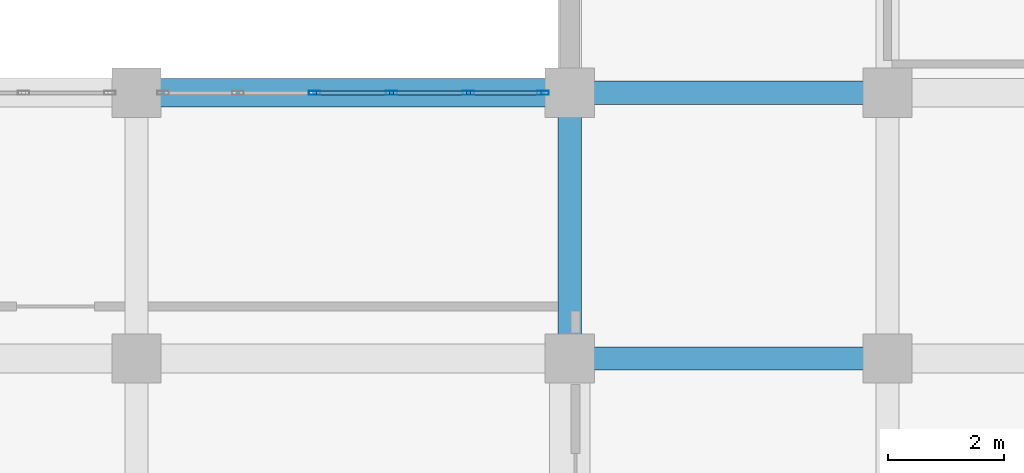
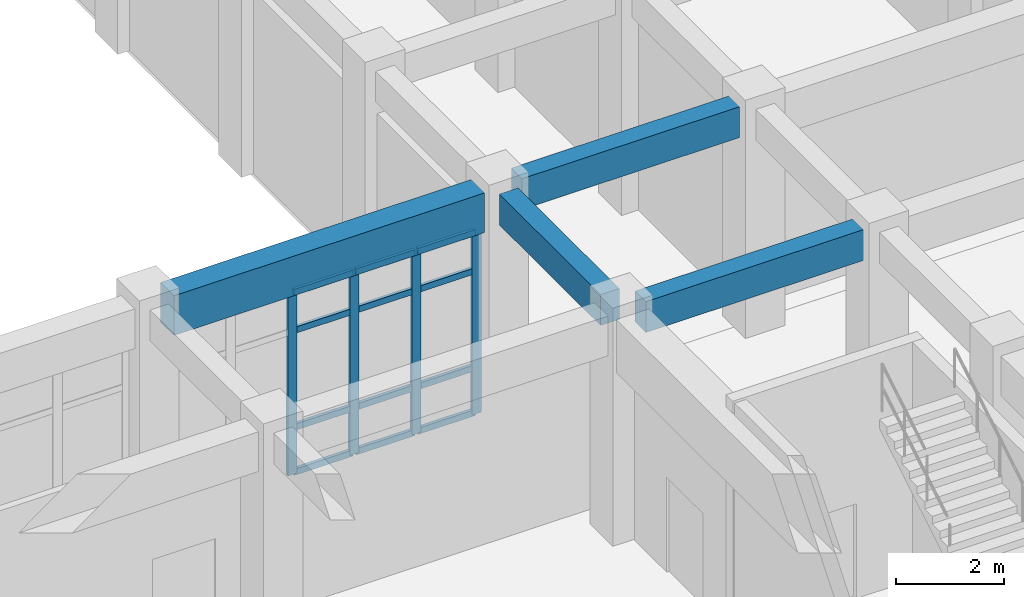
# One storey, part 35 of 84: 16 members, 4 beams, 1 element without a shape of its own.
"""IFC4 building model written with IfcOpenShell, lengths in metres."""

from ifc_helpers import new_model, si_unit, direction, frame, origin, origin_2d, place, context, subcontext, project, spatial, rectangle, hollow_rectangle, extrude, material, layer, layer_set, material_profile, profile_set, type_object, element, aggregate, save


model = new_model("IFC4")

# Units and contexts
model_context = context("Model", 3, precision=1e-05, world=origin(), true_north=direction((0.0, 1.0)))
body_context = subcontext(model_context, "Body", "Model", "MODEL_VIEW")
ifc_project = project(units=[si_unit("LENGTHUNIT", "METRE"), si_unit("AREAUNIT", "SQUARE_METRE"), si_unit("VOLUMEUNIT", "CUBIC_METRE"), si_unit("PLANEANGLEUNIT", "RADIAN"), si_unit("MASSUNIT", "GRAM", prefix="KILO")], contexts=[model_context])

# Site, building, storey
site_placement = place(None, origin())
site = spatial("IfcSite", under=ifc_project, at=site_placement, CompositionType="ELEMENT")
building_placement = place(site_placement, origin())
building = spatial("IfcBuilding", under=site, at=building_placement, Name="Muzn Square Opera House", CompositionType="ELEMENT")
storey_placement = place(building_placement, origin())
storey = spatial("IfcBuildingStorey", under=building, at=storey_placement, Name="L00", CompositionType="ELEMENT", Elevation=0.0)

# Curtain wall, members
ifc_material_1 = material(Name="Low-E laminated acoustic double glazing", Category="glass")
ifc_layer = layer(ifc_material_1, 0.159912109375, Name="Low-E laminated acoustic double glazing", Category="glass")
ifc_layer_set = layer_set([ifc_layer], Name="Low-E laminated acoustic double glazing")
curtain_wall_type = type_object("IfcCurtainWallType", Name="Glazed Curtain Wall EastCloisterS 6650x4150", PredefinedType="USERDEFINED", material=ifc_layer_set)
curtain_wall_placement = place(storey_placement, origin())
curtain_wall = element("IfcCurtainWall", 1, at=curtain_wall_placement, inside=storey, type_object=curtain_wall_type, Name="Glazed Curtain Wall CW-L00-079", ObjectType="GLAZED CURTAIN WALL", PredefinedType="USERDEFINED")
ifc_material_2 = material(Name="Anodised bronze aluminium 6063-T6", Category="metal")
ifc_material_profile_1 = material_profile(ifc_material_2, hollow_rectangle(XDim=0.070068359375, YDim=0.199951171875, WallThickness=0.0048828125, at=origin_2d()), Name="ALU 200x70x5", Category="metal")
ifc_profile_set_1 = profile_set([ifc_material_profile_1], Name="Anodised bronze aluminium 6063-T6")
member_type_1 = type_object("IfcMemberType", Name="Curtain Wall Mullion 200x70", PredefinedType="MULLION", material=ifc_profile_set_1)
member_1_placement = place(storey_placement, frame((152.5849609375, 31.199951171875, 0.0), z_axis=(0.0, 0.0, 1.0), x_axis=(0.0, 1.0, 0.0)))
member_1 = element("IfcMember", 2, at=member_1_placement, type_object=member_type_1, Name="CW-ECS-66x41 mullion 3", PredefinedType="MULLION", context=body_context, shape_type="SweptSolid", body=[
    extrude(hollow_rectangle(XDim=0.070068359375, YDim=0.199951171875, WallThickness=0.0048828125, at=origin_2d()), origin(), (0.0, 0.0, 1.0), 4.14990234375),
])
member_2_placement = place(storey_placement, frame((153.9150390625, 31.199951171875, 0.0), z_axis=(0.0, 0.0, 1.0), x_axis=(0.0, 1.0, 0.0)))
member_2 = element("IfcMember", 3, at=member_2_placement, type_object=member_type_1, Name="CW-ECS-66x41 mullion 4", PredefinedType="MULLION", context=body_context, shape_type="SweptSolid", body=[
    extrude(hollow_rectangle(XDim=0.070068359375, YDim=0.199951171875, WallThickness=0.0048828125, at=origin_2d()), origin(), (0.0, 0.0, 1.0), 4.14990234375),
])
member_3_placement = place(storey_placement, frame((155.2451171875, 31.199951171875, 0.0), z_axis=(0.0, 0.0, 1.0), x_axis=(0.0, 1.0, 0.0)))
member_3 = element("IfcMember", 4, at=member_3_placement, type_object=member_type_1, Name="CW-ECS-66x41 mullion 5", PredefinedType="MULLION", context=body_context, shape_type="SweptSolid", body=[
    extrude(hollow_rectangle(XDim=0.070068359375, YDim=0.199951171875, WallThickness=0.0048828125, at=origin_2d()), origin(), (0.0, 0.0, 1.0), 4.14990234375),
])
member_4_placement = place(storey_placement, frame((156.5400390625, 31.199951171875, 0.0), z_axis=(0.0, 0.0, 1.0), x_axis=(0.0, 1.0, 0.0)))
member_4 = element("IfcMember", 5, at=member_4_placement, type_object=member_type_1, Name="CW-ECS-66x41 mullion 6", PredefinedType="MULLION", context=body_context, shape_type="SweptSolid", body=[
    extrude(hollow_rectangle(XDim=0.070068359375, YDim=0.199951171875, WallThickness=0.0048828125, at=origin_2d()), origin(), (0.0, 0.0, 1.0), 4.14990234375),
])
ifc_material_profile_2 = material_profile(ifc_material_2, hollow_rectangle(XDim=0.070068359375, YDim=0.139892578125, WallThickness=0.00390625, at=origin_2d()), Name="ALU 140x70x4", Category="metal")
ifc_profile_set_2 = profile_set([ifc_material_profile_2], Name="Anodised bronze aluminium 6063-T6")
member_type_2 = type_object("IfcMemberType", Name="Curtain Wall Transom 140x70", PredefinedType="USERDEFINED", material=ifc_profile_set_2)
member_5_placement = place(storey_placement, frame((152.6201171875, 31.199951171875, 0.034912109375), z_axis=(1.0, 0.0, 0.0), x_axis=(0.0, 1.0, 0.0)))
member_5 = element("IfcMember", 6, at=member_5_placement, type_object=member_type_2, Name="CW-ECS-66x41 transom 3.1", ObjectType="TRANSOM", PredefinedType="USERDEFINED", context=body_context, shape_type="SweptSolid", body=[
    extrude(hollow_rectangle(XDim=0.070068359375, YDim=0.139892578125, WallThickness=0.00390625, at=origin_2d()), origin(), (0.0, 0.0, 1.0), 1.259765625),
])
member_6_placement = place(storey_placement, frame((152.6201171875, 31.199951171875, 1.050048828125), z_axis=(1.0, 0.0, 0.0), x_axis=(0.0, 1.0, 0.0)))
member_6 = element("IfcMember", 7, at=member_6_placement, type_object=member_type_2, Name="CW-ECS-66x41 transom 3.2", ObjectType="TRANSOM", PredefinedType="USERDEFINED", context=body_context, shape_type="SweptSolid", body=[
    extrude(hollow_rectangle(XDim=0.070068359375, YDim=0.139892578125, WallThickness=0.00390625, at=origin_2d()), origin(), (0.0, 0.0, 1.0), 1.259765625),
])
member_7_placement = place(storey_placement, frame((152.6201171875, 31.199951171875, 3.25), z_axis=(1.0, 0.0, 0.0), x_axis=(0.0, 1.0, 0.0)))
member_7 = element("IfcMember", 8, at=member_7_placement, type_object=member_type_2, Name="CW-ECS-66x41 transom 3.3", ObjectType="TRANSOM", PredefinedType="USERDEFINED", context=body_context, shape_type="SweptSolid", body=[
    extrude(hollow_rectangle(XDim=0.070068359375, YDim=0.139892578125, WallThickness=0.00390625, at=origin_2d()), origin(), (0.0, 0.0, 1.0), 1.259765625),
])
member_8_placement = place(storey_placement, frame((152.6201171875, 31.199951171875, 4.114990234375), z_axis=(1.0, 0.0, 0.0), x_axis=(0.0, 1.0, 0.0)))
member_8 = element("IfcMember", 9, at=member_8_placement, type_object=member_type_2, Name="CW-ECS-66x41 transom 3.4", ObjectType="TRANSOM", PredefinedType="USERDEFINED", context=body_context, shape_type="SweptSolid", body=[
    extrude(hollow_rectangle(XDim=0.070068359375, YDim=0.139892578125, WallThickness=0.00390625, at=origin_2d()), origin(), (0.0, 0.0, 1.0), 1.259765625),
])
member_9_placement = place(storey_placement, frame((153.949951171875, 31.199951171875, 0.034912109375), z_axis=(1.0, 0.0, 0.0), x_axis=(0.0, 1.0, 0.0)))
member_9 = element("IfcMember", 10, at=member_9_placement, type_object=member_type_2, Name="CW-ECS-66x41 transom 4.1", ObjectType="TRANSOM", PredefinedType="USERDEFINED", context=body_context, shape_type="SweptSolid", body=[
    extrude(hollow_rectangle(XDim=0.070068359375, YDim=0.139892578125, WallThickness=0.00390625, at=origin_2d()), origin(), (0.0, 0.0, 1.0), 1.260009765625),
])
member_10_placement = place(storey_placement, frame((153.949951171875, 31.199951171875, 1.050048828125), z_axis=(1.0, 0.0, 0.0), x_axis=(0.0, 1.0, 0.0)))
member_10 = element("IfcMember", 11, at=member_10_placement, type_object=member_type_2, Name="CW-ECS-66x41 transom 4.2", ObjectType="TRANSOM", PredefinedType="USERDEFINED", context=body_context, shape_type="SweptSolid", body=[
    extrude(hollow_rectangle(XDim=0.070068359375, YDim=0.139892578125, WallThickness=0.00390625, at=origin_2d()), origin(), (0.0, 0.0, 1.0), 1.260009765625),
])
member_11_placement = place(storey_placement, frame((153.949951171875, 31.199951171875, 3.25), z_axis=(1.0, 0.0, 0.0), x_axis=(0.0, 1.0, 0.0)))
member_11 = element("IfcMember", 12, at=member_11_placement, type_object=member_type_2, Name="CW-ECS-66x41 transom 4.3", ObjectType="TRANSOM", PredefinedType="USERDEFINED", context=body_context, shape_type="SweptSolid", body=[
    extrude(hollow_rectangle(XDim=0.070068359375, YDim=0.139892578125, WallThickness=0.00390625, at=origin_2d()), origin(), (0.0, 0.0, 1.0), 1.260009765625),
])
member_12_placement = place(storey_placement, frame((153.949951171875, 31.199951171875, 4.114990234375), z_axis=(1.0, 0.0, 0.0), x_axis=(0.0, 1.0, 0.0)))
member_12 = element("IfcMember", 13, at=member_12_placement, type_object=member_type_2, Name="CW-ECS-66x41 transom 4.4", ObjectType="TRANSOM", PredefinedType="USERDEFINED", context=body_context, shape_type="SweptSolid", body=[
    extrude(hollow_rectangle(XDim=0.070068359375, YDim=0.139892578125, WallThickness=0.00390625, at=origin_2d()), origin(), (0.0, 0.0, 1.0), 1.260009765625),
])
member_13_placement = place(storey_placement, frame((155.280029296875, 31.199951171875, 0.034912109375), z_axis=(1.0, 0.0, 0.0), x_axis=(0.0, 1.0, 0.0)))
member_13 = element("IfcMember", 14, at=member_13_placement, type_object=member_type_2, Name="CW-ECS-66x41 transom 5.1", ObjectType="TRANSOM", PredefinedType="USERDEFINED", context=body_context, shape_type="SweptSolid", body=[
    extrude(hollow_rectangle(XDim=0.070068359375, YDim=0.139892578125, WallThickness=0.00390625, at=origin_2d()), origin(), (0.0, 0.0, 1.0), 1.224853515625),
])
member_14_placement = place(storey_placement, frame((155.280029296875, 31.199951171875, 1.050048828125), z_axis=(1.0, 0.0, 0.0), x_axis=(0.0, 1.0, 0.0)))
member_14 = element("IfcMember", 15, at=member_14_placement, type_object=member_type_2, Name="CW-ECS-66x41 transom 5.2", ObjectType="TRANSOM", PredefinedType="USERDEFINED", context=body_context, shape_type="SweptSolid", body=[
    extrude(hollow_rectangle(XDim=0.070068359375, YDim=0.139892578125, WallThickness=0.00390625, at=origin_2d()), origin(), (0.0, 0.0, 1.0), 1.224853515625),
])
member_15_placement = place(storey_placement, frame((155.280029296875, 31.199951171875, 3.25), z_axis=(1.0, 0.0, 0.0), x_axis=(0.0, 1.0, 0.0)))
member_15 = element("IfcMember", 16, at=member_15_placement, type_object=member_type_2, Name="CW-ECS-66x41 transom 5.3", ObjectType="TRANSOM", PredefinedType="USERDEFINED", context=body_context, shape_type="SweptSolid", body=[
    extrude(hollow_rectangle(XDim=0.070068359375, YDim=0.139892578125, WallThickness=0.00390625, at=origin_2d()), origin(), (0.0, 0.0, 1.0), 1.224853515625),
])
member_16_placement = place(storey_placement, frame((155.280029296875, 31.199951171875, 4.114990234375), z_axis=(1.0, 0.0, 0.0), x_axis=(0.0, 1.0, 0.0)))
member_16 = element("IfcMember", 17, at=member_16_placement, type_object=member_type_2, Name="CW-ECS-66x41 transom 5.4", ObjectType="TRANSOM", PredefinedType="USERDEFINED", context=body_context, shape_type="SweptSolid", body=[
    extrude(hollow_rectangle(XDim=0.070068359375, YDim=0.139892578125, WallThickness=0.00390625, at=origin_2d()), origin(), (0.0, 0.0, 1.0), 1.224853515625),
])
aggregate(curtain_wall, [member_1, member_2, member_3, member_4, member_5, member_6, member_7, member_8, member_9, member_10, member_11, member_12, member_13, member_14, member_15, member_16])

# Beams
ifc_material_3 = material(Name="Concrete C40/50", Category="concrete")
ifc_material_profile_3 = material_profile(ifc_material_3, rectangle(XDim=0.39990234375, YDim=0.699951171875, at=origin_2d()), Name="RCB 400x700", Category="concrete")
ifc_profile_set_3 = profile_set([ifc_material_profile_3], Name="Concrete C40/50")
beam_type_1 = type_object("IfcBeamType", Name="Primary Girder 400x700", PredefinedType="BEAM", material=ifc_profile_set_3)
for number, where, z_axis, x_axis, name in (
    (18, (157.4169921875, 26.60009765625, 4.77001953125), (1.0, 0.0, 0.0), (0.0, 1.0, 0.0), "Primary Girder BM-L00-BM-PG700-1574_266_1621_266-787"),
    (19, (157.4169921875, 31.199951171875, 4.77001953125), (1.0, 0.0, 0.0), (0.0, 1.0, 0.0), "Primary Girder BM-L00-BM-PG700-1574_312_1621_312-806"),
):
    element("IfcBeam", number, at=place(storey_placement, frame(where, z_axis=z_axis, x_axis=x_axis)), inside=storey, type_object=beam_type_1, Name=name, PredefinedType="BEAM", context=body_context, shape_type="SweptSolid", body=[
        extrude(rectangle(XDim=0.39990234375, YDim=0.699951171875, at=origin_2d()), origin(), (0.0, 0.0, 1.0), 4.666015625),
    ])
beam_1_placement = place(storey_placement, frame((157.0, 27.01708984375, 4.77001953125), z_axis=(0.0, 1.0, 0.0), x_axis=(-1.0, 0.0, 0.0)))
element("IfcBeam", 20, at=beam_1_placement, inside=storey, type_object=beam_type_1, Name="Primary Girder BM-L00-BM-PG700-1570_270_1570_308-1141", PredefinedType="BEAM", context=body_context, shape_type="SweptSolid", body=[
    extrude(rectangle(XDim=0.39990234375, YDim=0.699951171875, at=origin_2d()), origin(), (0.0, 0.0, 1.0), 3.765869140625),
])
ifc_material_profile_4 = material_profile(ifc_material_3, rectangle(XDim=0.5, YDim=0.89990234375, at=origin_2d()), Name="RCB 500x900", Category="concrete")
ifc_profile_set_4 = profile_set([ifc_material_profile_4], Name="Concrete C40/50")
beam_type_2 = type_object("IfcBeamType", Name="Primary Girder 500x900", PredefinedType="BEAM", material=ifc_profile_set_4)
beam_2_placement = place(storey_placement, frame((149.9169921875, 31.199951171875, 4.669921875), z_axis=(1.0, 0.0, 0.0), x_axis=(0.0, 1.0, 0.0)))
element("IfcBeam", 21, at=beam_2_placement, inside=storey, type_object=beam_type_2, Name="Primary Girder BM-L00-BM-PG900-1499_312_1566_312-805", PredefinedType="BEAM", context=body_context, shape_type="SweptSolid", body=[
    extrude(rectangle(XDim=0.5, YDim=0.89990234375, at=origin_2d()), origin(), (0.0, 0.0, 1.0), 6.666015625),
])

save(model, "model.ifc")
